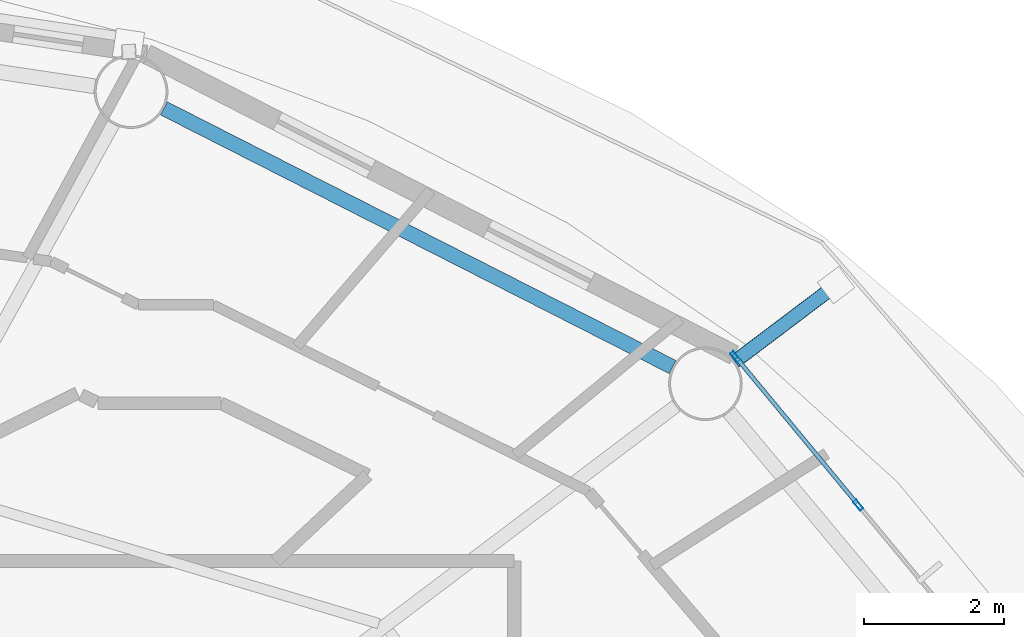
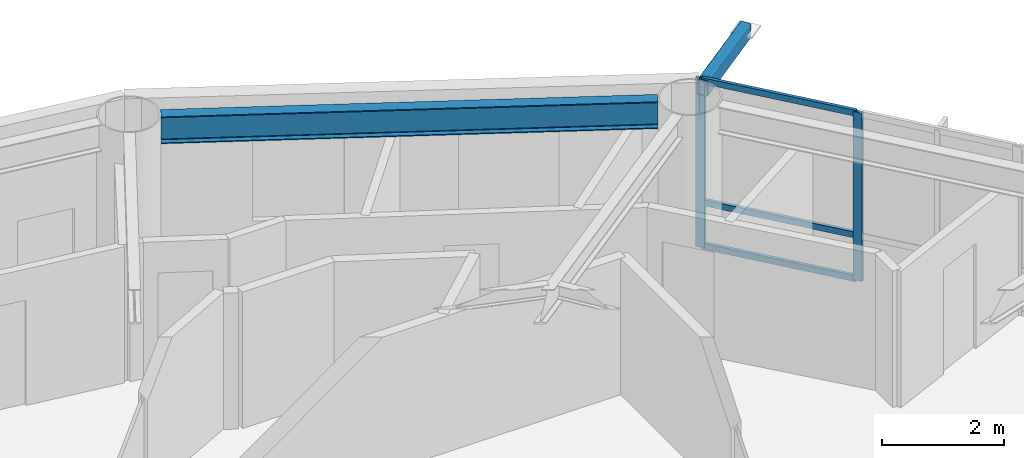
# One storey, part 11 of 23: 6 members, 1 beam, 1 element without a shape of its own.
"""IFC4 building model written with IfcOpenShell, lengths in metres."""

from ifc_helpers import new_model, si_unit, direction, frame, origin, origin_2d, place, context, subcontext, project, spatial, hollow_rectangle, i_section, extrude, material, layer, layer_set, material_profile, profile_set, type_object, element, aggregate, save


model = new_model("IFC4")

# Units and contexts
model_context = context("Model", 3, precision=1e-05, world=origin(), true_north=direction((0.0, 1.0)))
body_context = subcontext(model_context, "Body", "Model", "MODEL_VIEW")
ifc_project = project(units=[si_unit("LENGTHUNIT", "METRE"), si_unit("AREAUNIT", "SQUARE_METRE"), si_unit("VOLUMEUNIT", "CUBIC_METRE"), si_unit("PLANEANGLEUNIT", "RADIAN"), si_unit("MASSUNIT", "GRAM", prefix="KILO")], contexts=[model_context])

# Site, building, storey
site_placement = place(None, origin())
site = spatial("IfcSite", under=ifc_project, at=site_placement, CompositionType="ELEMENT")
building_placement = place(site_placement, origin())
building = spatial("IfcBuilding", under=site, at=building_placement, Name="Sarneth Arch Tower", CompositionType="ELEMENT")
storey_placement = place(building_placement, frame((0.0, 0.0, 246.0)))
storey = spatial("IfcBuildingStorey", under=building, at=storey_placement, Name="L63", CompositionType="ELEMENT", Elevation=246.0)

# Beam
ifc_material_1 = material(Name="Steel S355", Category="steel")
ifc_material_profile_1 = material_profile(ifc_material_1, i_section(OverallWidth=0.2109375, OverallDepth=0.5390625, WebThickness=0.01171875, FlangeThickness=0.018798828125, FilletRadius=0.01806640625, at=origin_2d()), Name="W530x109")
ifc_profile_set_1 = profile_set([ifc_material_profile_1], Name="Steel S355")
beam_type = type_object("IfcBeamType", Name="BM-RAD-530B", PredefinedType="BEAM", material=ifc_profile_set_1)
beam_placement = place(storey_placement, frame((65.50732421875, 55.814453125, 3.090576171875), z_axis=(-0.891368271482, 0.453279830342, 0.0), x_axis=(-0.453279830342, -0.891368271482, 0.0)))
element("IfcBeam", 1, at=beam_placement, inside=storey, type_object=beam_type, Name="L63 Perimeter spandrel beam 03", PredefinedType="BEAM", context=body_context, shape_type="SweptSolid", body=[
    extrude(i_section(OverallWidth=0.2109375, OverallDepth=0.5390625, WebThickness=0.01171875, FlangeThickness=0.018798828125, FilletRadius=0.01806640625, at=origin_2d()), origin(), (0.0, 0.0, 1.0), 8.1318359375),
])

# Curtain wall, members
ifc_material_2 = material(Name="Anodised aluminium Type AA25 and solar-control low-e laminated IGU", Category="aluminium")
ifc_layer = layer(ifc_material_2, 0.179931640625)
ifc_layer_set = layer_set([ifc_layer], Name="Anodised aluminium Type AA25 and solar-control low-e laminated IGU")
curtain_wall_type = type_object("IfcCurtainWallType", Name="CW-RES-HIGH", PredefinedType="NOTDEFINED", material=ifc_layer_set)
curtain_wall_placement = place(storey_placement, origin())
curtain_wall = element("IfcCurtainWall", 2, at=curtain_wall_placement, inside=storey, type_object=curtain_wall_type, Name="L63 Unitised curtain wall facet 02", PredefinedType="NOTDEFINED")
ifc_material_3 = material(Name="Anodised Aluminium 6063-T6", Category="aluminium")
ifc_material_profile_2 = material_profile(ifc_material_3, hollow_rectangle(XDim=0.06005859375, YDim=0.159912109375, WallThickness=0.00390625, at=origin_2d()), Name="AL-MULL-160x60x4")
ifc_profile_set_2 = profile_set([ifc_material_profile_2], Name="Anodised Aluminium 6063-T6")
member_type_1 = type_object("IfcMemberType", Name="CW-MULLION", PredefinedType="MULLION", material=ifc_profile_set_2)
member_1_placement = place(storey_placement, frame((68.15283203125, 53.84765625, 0.0), z_axis=(0.0, 0.0, 1.0), x_axis=(-0.770359245933, -0.637610094184, 0.0)))
member_1 = element("IfcMember", 3, at=member_1_placement, type_object=member_type_1, Name="CW-SYS-6 mullion 3", PredefinedType="MULLION", context=body_context, shape_type="SweptSolid", body=[
    extrude(hollow_rectangle(XDim=0.06005859375, YDim=0.159912109375, WallThickness=0.00390625, at=origin_2d()), origin(), (0.0, 0.0, 1.0), 3.360107421875),
])
member_2_placement = place(storey_placement, frame((66.401611328125, 55.96337890625, 0.0), z_axis=(0.0, 0.0, 1.0), x_axis=(-0.770359245933, -0.637610094184, 0.0)))
member_2 = element("IfcMember", 4, at=member_2_placement, type_object=member_type_1, Name="CW-SYS-6 mullion 4", PredefinedType="MULLION", context=body_context, shape_type="SweptSolid", body=[
    extrude(hollow_rectangle(XDim=0.06005859375, YDim=0.159912109375, WallThickness=0.00390625, at=origin_2d()), origin(), (0.0, 0.0, 1.0), 3.360107421875),
])
ifc_material_4 = material(Name="Anodised Aluminium 6063-T6", Category="aluminium")
ifc_material_profile_3 = material_profile(ifc_material_4, hollow_rectangle(XDim=0.06005859375, YDim=0.1201171875, WallThickness=0.00390625, at=origin_2d()), Name="AL-TRAN-120x60x4")
ifc_profile_set_3 = profile_set([ifc_material_profile_3], Name="Anodised Aluminium 6063-T6")
member_type_2 = type_object("IfcMemberType", Name="CW-TRANSOM", PredefinedType="USERDEFINED", material=ifc_profile_set_3)
member_3_placement = place(storey_placement, frame((68.1337890625, 53.87060546875, 0.030029296875), z_axis=(-0.637606765719, 0.770362000821, 0.0), x_axis=(-0.770362000821, -0.637606765719, 0.0)))
member_3 = element("IfcMember", 5, at=member_3_placement, type_object=member_type_2, Name="CW-SYS-6 transom 3.1", ObjectType="TRANSOM", PredefinedType="USERDEFINED", context=body_context, shape_type="SweptSolid", body=[
    extrude(hollow_rectangle(XDim=0.06005859375, YDim=0.1201171875, WallThickness=0.00390625, at=origin_2d()), origin(), (0.0, 0.0, 1.0), 2.686767578125),
])
member_4_placement = place(storey_placement, frame((68.1337890625, 53.87060546875, 0.89990234375), z_axis=(-0.637606765719, 0.770362000821, 0.0), x_axis=(-0.770362000821, -0.637606765719, 0.0)))
member_4 = element("IfcMember", 6, at=member_4_placement, type_object=member_type_2, Name="CW-SYS-6 transom 3.2", ObjectType="TRANSOM", PredefinedType="USERDEFINED", context=body_context, shape_type="SweptSolid", body=[
    extrude(hollow_rectangle(XDim=0.06005859375, YDim=0.1201171875, WallThickness=0.00390625, at=origin_2d()), origin(), (0.0, 0.0, 1.0), 2.686767578125),
])
member_5_placement = place(storey_placement, frame((68.1337890625, 53.87060546875, 3.330078125), z_axis=(-0.637606765719, 0.770362000821, 0.0), x_axis=(-0.770362000821, -0.637606765719, 0.0)))
member_5 = element("IfcMember", 7, at=member_5_placement, type_object=member_type_2, Name="CW-SYS-6 transom 3.3", ObjectType="TRANSOM", PredefinedType="USERDEFINED", context=body_context, shape_type="SweptSolid", body=[
    extrude(hollow_rectangle(XDim=0.06005859375, YDim=0.1201171875, WallThickness=0.00390625, at=origin_2d()), origin(), (0.0, 0.0, 1.0), 2.686767578125),
])
aggregate(curtain_wall, [member_1, member_2, member_3, member_4, member_5])

# Member
ifc_material_5 = material(Name="Steel S355", Category="steel")
ifc_material_profile_4 = material_profile(ifc_material_5, hollow_rectangle(XDim=0.199951171875, YDim=0.300048828125, WallThickness=0.012451171875, InnerFilletRadius=0.018798828125, OuterFilletRadius=0.03125, at=origin_2d()), Name="RHS300x200x12.5")
ifc_profile_set_4 = profile_set([ifc_material_profile_4], Name="Steel S355")
member_type_3 = type_object("IfcMemberType", Name="MEM-CANT-STRUT", PredefinedType="STRUT", material=ifc_profile_set_4)
member_6_placement = place(storey_placement, frame((66.39404296875, 55.892822265625, 3.199951171875), z_axis=(0.798004293469, 0.602651763132, 0.0), x_axis=(-0.602651763132, 0.798004293469, 0.0)))
element("IfcMember", 8, at=member_6_placement, inside=storey, type_object=member_type_3, Name="L63 Balcony cantilever bracket 03", PredefinedType="STRUT", context=body_context, shape_type="SweptSolid", body=[
    extrude(hollow_rectangle(XDim=0.199951171875, YDim=0.300048828125, WallThickness=0.012451171875, InnerFilletRadius=0.018798828125, OuterFilletRadius=0.03125, at=origin_2d()), origin(), (0.0, 0.0, 1.0), 1.8095703125),
])

save(model, "model.ifc")
